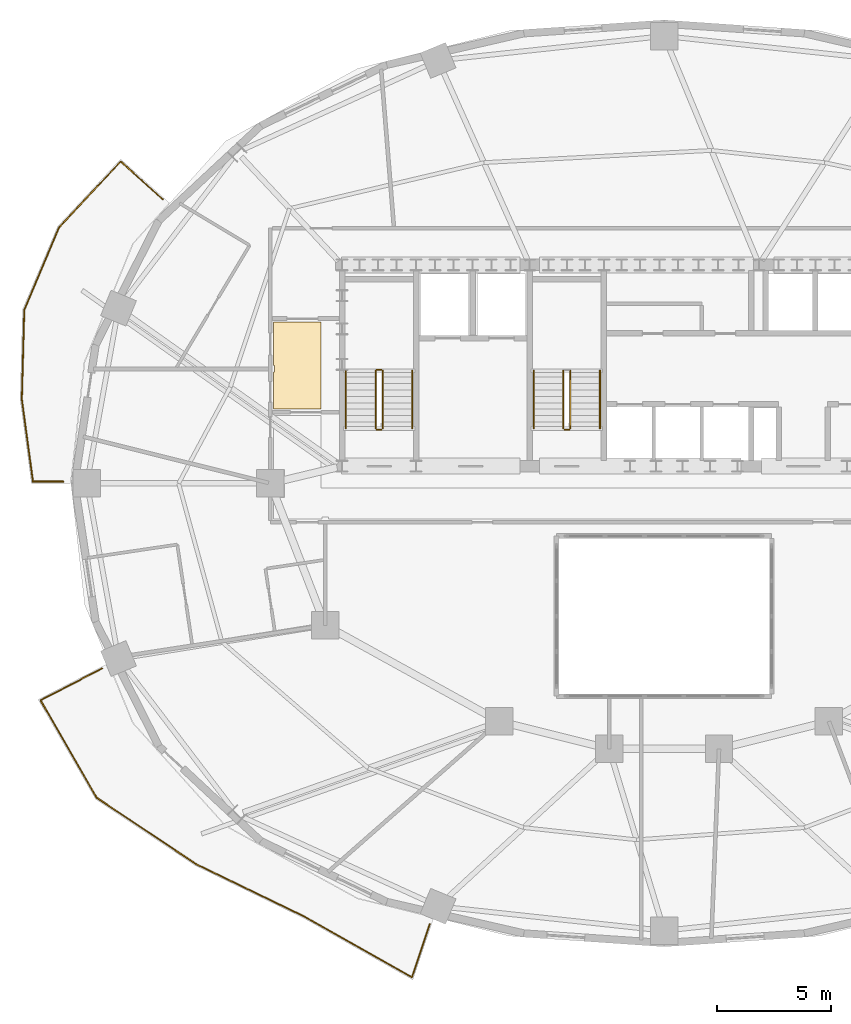
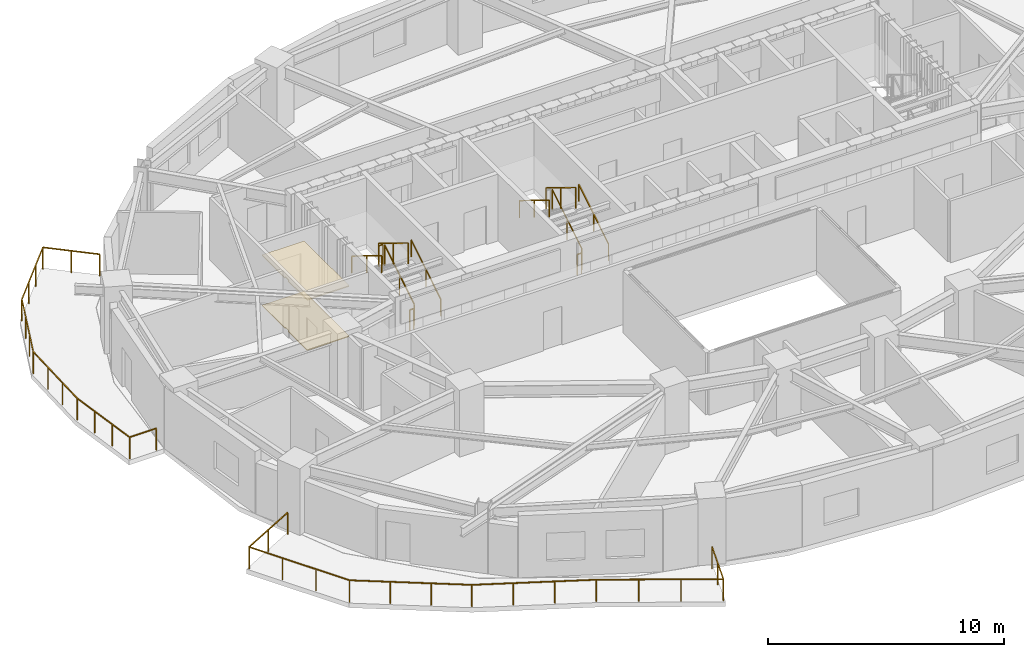
# One storey, part 10 of 12: 13 railings, 2 coverings.
"""IFC4 building model written with IfcOpenShell, lengths in metres."""

from ifc_helpers import new_model, si_unit, direction, frame, origin, origin_2d, place, context, subcontext, project, spatial, polyline, rectangle, outline, extrude, material, layer, layer_set, type_object, element, save


model = new_model("IFC4")

# Units and contexts
model_context = context("Model", 3, precision=1e-05, world=origin(), true_north=direction((0.0, 1.0)))
body_context = subcontext(model_context, "Body", "Model", "MODEL_VIEW")
ifc_project = project(units=[si_unit("LENGTHUNIT", "METRE"), si_unit("AREAUNIT", "SQUARE_METRE"), si_unit("VOLUMEUNIT", "CUBIC_METRE"), si_unit("PLANEANGLEUNIT", "RADIAN"), si_unit("MASSUNIT", "GRAM", prefix="KILO")], contexts=[model_context])

# Site, building, storey
site_placement = place(None, origin())
site = spatial("IfcSite", under=ifc_project, at=site_placement, CompositionType="ELEMENT")
building_placement = place(site_placement, origin())
building = spatial("IfcBuilding", under=site, at=building_placement, Name="Haldorwick Loom Tower", CompositionType="ELEMENT")
storey_placement = place(building_placement, frame((0.0, 0.0, 154.449951171875)))
storey = spatial("IfcBuildingStorey", under=building, at=storey_placement, Name="L41", CompositionType="ELEMENT", Elevation=154.449951171875)

# Coverings
ifc_material_1 = material(Name="Mineral Fibre Acoustic Ceiling Tile")
ifc_layer_1 = layer(ifc_material_1, 0.054931640625, Name="Mineral Fibre Acoustic Ceiling Tile")
ifc_layer_set_1 = layer_set([ifc_layer_1], Name="Mineral Fibre Acoustic Ceiling Tile")
covering_type_1 = type_object("IfcCoveringType", Name="ARC-COV-CEIL2", PredefinedType="CEILING", material=ifc_layer_set_1)
covering_1_placement = place(storey_placement, frame((0.0, 0.0, 2.594970703125)))
element("IfcCovering", 1, at=covering_1_placement, inside=storey, type_object=covering_type_1, Name="L41 Acoustic Suspended Ceiling 2", PredefinedType="CEILING", context=body_context, shape_type="SweptSolid", body=[
    extrude(outline(polyline([(18.969970703125, 31.139892578125), (18.971923828125, 31.139892578125), (18.973876953125, 31.1396484375), (18.975830078125, 31.13916015625), (18.977783203125, 31.138427734375), (18.9794921875, 31.1376953125), (18.981201171875, 31.13671875), (18.982666015625, 31.135498046875), (18.984130859375, 31.134033203125), (18.985595703125, 31.1328125), (18.986572265625, 31.131103515625), (18.987548828125, 31.12939453125), (18.988525390625, 31.127685546875), (18.989013671875, 31.125732421875), (18.989501953125, 31.123779296875), (18.989990234375, 31.1220703125), (18.989990234375, 31.1201171875), (18.989990234375, 30.8798828125), (18.989990234375, 30.8779296875), (18.989501953125, 30.876220703125), (18.989013671875, 30.874267578125), (18.988525390625, 30.872314453125), (18.987548828125, 30.87060546875), (18.986572265625, 30.868896484375), (18.985595703125, 30.8671875), (18.984130859375, 30.865966796875), (18.982666015625, 30.864501953125), (18.981201171875, 30.86328125), (18.9794921875, 30.8623046875), (18.977783203125, 30.861572265625), (18.975830078125, 30.86083984375), (18.973876953125, 30.8603515625), (18.971923828125, 30.860107421875), (18.969970703125, 30.860107421875), (18.93994140625, 30.860107421875), (18.93994140625, 29.239990234375), (21.0, 29.239990234375), (21.0, 33.06005859375), (18.93994140625, 33.06005859375), (18.93994140625, 31.139892578125), (18.969970703125, 31.139892578125)])), origin(), (0.0, 0.0, 1.0), 0.05517578125),
])
ifc_material_2 = material(Name="Polished Aggregate Terrazzo Finish")
ifc_layer_2 = layer(ifc_material_2, 0.044921875, Name="Polished Aggregate Terrazzo Finish")
ifc_layer_set_2 = layer_set([ifc_layer_2], Name="Polished Aggregate Terrazzo Finish")
covering_type_2 = type_object("IfcCoveringType", Name="ARC-COV-FLOOR2", PredefinedType="FLOORING", material=ifc_layer_set_2)
covering_2_placement = place(storey_placement, origin())
element("IfcCovering", 2, at=covering_2_placement, inside=storey, type_object=covering_type_2, Name="L41 Floor Finish 2", PredefinedType="FLOORING", context=body_context, shape_type="SweptSolid", body=[
    extrude(outline(polyline([(18.969970703125, 31.139892578125), (18.971923828125, 31.139892578125), (18.973876953125, 31.1396484375), (18.975830078125, 31.13916015625), (18.977783203125, 31.138427734375), (18.9794921875, 31.1376953125), (18.981201171875, 31.13671875), (18.982666015625, 31.135498046875), (18.984130859375, 31.134033203125), (18.985595703125, 31.1328125), (18.986572265625, 31.131103515625), (18.987548828125, 31.12939453125), (18.988525390625, 31.127685546875), (18.989013671875, 31.125732421875), (18.989501953125, 31.123779296875), (18.989990234375, 31.1220703125), (18.989990234375, 31.1201171875), (18.989990234375, 30.8798828125), (18.989990234375, 30.8779296875), (18.989501953125, 30.876220703125), (18.989013671875, 30.874267578125), (18.988525390625, 30.872314453125), (18.987548828125, 30.87060546875), (18.986572265625, 30.868896484375), (18.985595703125, 30.8671875), (18.984130859375, 30.865966796875), (18.982666015625, 30.864501953125), (18.981201171875, 30.86328125), (18.9794921875, 30.8623046875), (18.977783203125, 30.861572265625), (18.975830078125, 30.86083984375), (18.973876953125, 30.8603515625), (18.971923828125, 30.860107421875), (18.969970703125, 30.860107421875), (18.93994140625, 30.860107421875), (18.93994140625, 29.239990234375), (21.0, 29.239990234375), (21.0, 33.06005859375), (18.93994140625, 33.06005859375), (18.93994140625, 31.139892578125), (18.969970703125, 31.139892578125)])), origin(), (0.0, 0.0, 1.0), 0.045166015625),
])

# Railings
ifc_material_3 = material(Name="Galvanized Steel CSA G40.21 350W", Category="steel")
railing_type_1 = type_object("IfcRailingType", Name="ARC-RLG-BAL115", PredefinedType="BALUSTRADE", material=ifc_material_3)
railing_1_placement = place(storey_placement, frame((25.755859375, 6.728515625, 0.0)))
element("IfcRailing", 3, at=railing_1_placement, inside=storey, type_object=railing_type_1, Name="L41 Outdoor Terrace Guardrail SLB-L41-BAL_SW-1", PredefinedType="BALUSTRADE", context=body_context, shape_type="SweptSolid", body=[
    extrude(rectangle(XDim=0.048095703125, YDim=0.048095703125, at=origin_2d()), frame((0.0, 0.0, 1.1259765625), z_axis=(-0.318122031644, -0.948049773473, 0.0), x_axis=(0.948049773473, -0.318122031644, 0.0)), (0.0, 0.0, 1.0), 2.43505859375),
    extrude(rectangle(XDim=0.048095703125, YDim=0.048095703125, at=origin_2d()), frame((-0.774658203125, -2.30859375, 1.1259765625), z_axis=(-0.870535813637, 0.492105067212, 0.0), x_axis=(-0.492105067212, -0.870535813637, 0.0)), (0.0, 0.0, 1.0), 5.38427734375),
    extrude(rectangle(XDim=0.048095703125, YDim=0.048095703125, at=origin_2d()), frame((-5.4619140625, 0.341064453125, 1.1259765625), z_axis=(-0.884918222382, 0.465746432833, 0.0), x_axis=(-0.465746432833, -0.884918222382, 0.0)), (0.0, 0.0, 1.0), 0.005126953125),
    extrude(rectangle(XDim=0.048095703125, YDim=0.048095703125, at=origin_2d()), frame((-5.466552734375, 0.343505859375, 1.1259765625), z_axis=(-0.899741530377, 0.436423164503, 0.0), x_axis=(-0.436423164503, -0.899741530377, 0.0)), (0.0, 0.0, 1.0), 5.283203125),
    extrude(rectangle(XDim=0.048095703125, YDim=0.048095703125, at=origin_2d()), frame((-10.219970703125, 2.649169921875, 1.1259765625), z_axis=(-0.831587514247, 0.555393739746, 0.0), x_axis=(-0.555393739746, -0.831587514247, 0.0)), (0.0, 0.0, 1.0), 5.197509765625),
    extrude(rectangle(XDim=0.048095703125, YDim=0.048095703125, at=origin_2d()), frame((-14.542236328125, 5.535888671875, 1.1259765625), z_axis=(-0.499653669952, 0.866225265219, 0.0), x_axis=(-0.866225265219, -0.499653669952, 0.0)), (0.0, 0.0, 1.0), 4.91650390625),
    extrude(rectangle(XDim=0.048095703125, YDim=0.048095703125, at=origin_2d()), frame((-16.998779296875, 9.794677734375, 1.1259765625), z_axis=(0.88849659396, 0.45888321229, 0.0), x_axis=(-0.45888321229, 0.88849659396, 0.0)), (0.0, 0.0, 1.0), 3.02783203125),
    extrude(rectangle(XDim=0.0419921875, YDim=0.0419921875, at=origin_2d()), origin(), (0.0, 0.0, 1.0), 1.101806640625),
    extrude(rectangle(XDim=0.0419921875, YDim=0.0419921875, at=origin_2d()), frame((-0.38720703125, -1.154296875, 0.0)), (0.0, 0.0, 1.0), 1.101806640625),
    extrude(rectangle(XDim=0.0419921875, YDim=0.0419921875, at=origin_2d()), frame((-0.774658203125, -2.30859375, 0.0)), (0.0, 0.0, 1.0), 1.101806640625),
    extrude(rectangle(XDim=0.0419921875, YDim=0.0419921875, at=origin_2d()), frame((-2.337158203125, -1.42529296875, 0.0)), (0.0, 0.0, 1.0), 1.101806640625),
    extrude(rectangle(XDim=0.0419921875, YDim=0.0419921875, at=origin_2d()), frame((-3.8994140625, -0.542236328125, 0.0)), (0.0, 0.0, 1.0), 1.101806640625),
    extrude(rectangle(XDim=0.0419921875, YDim=0.0419921875, at=origin_2d()), frame((-5.4619140625, 0.341064453125, 0.0)), (0.0, 0.0, 1.0), 1.101806640625),
    extrude(rectangle(XDim=0.0419921875, YDim=0.0419921875, at=origin_2d()), frame((-7.051025390625, 1.112060546875, 0.0)), (0.0, 0.0, 1.0), 1.101806640625),
    extrude(rectangle(XDim=0.0419921875, YDim=0.0419921875, at=origin_2d()), frame((-8.635498046875, 1.880615234375, 0.0)), (0.0, 0.0, 1.0), 1.101806640625),
    extrude(rectangle(XDim=0.0419921875, YDim=0.0419921875, at=origin_2d()), frame((-10.219970703125, 2.649169921875, 0.0)), (0.0, 0.0, 1.0), 1.101806640625),
    extrude(rectangle(XDim=0.0419921875, YDim=0.0419921875, at=origin_2d()), frame((-11.66064453125, 3.611328125, 0.0)), (0.0, 0.0, 1.0), 1.101806640625),
    extrude(rectangle(XDim=0.0419921875, YDim=0.0419921875, at=origin_2d()), frame((-13.1015625, 4.57373046875, 0.0)), (0.0, 0.0, 1.0), 1.101806640625),
    extrude(rectangle(XDim=0.0419921875, YDim=0.0419921875, at=origin_2d()), frame((-14.542236328125, 5.535888671875, 0.0)), (0.0, 0.0, 1.0), 1.101806640625),
    extrude(rectangle(XDim=0.0419921875, YDim=0.0419921875, at=origin_2d()), frame((-15.361083984375, 6.95556640625, 0.0)), (0.0, 0.0, 1.0), 1.101806640625),
    extrude(rectangle(XDim=0.0419921875, YDim=0.0419921875, at=origin_2d()), frame((-16.179931640625, 8.375, 0.0)), (0.0, 0.0, 1.0), 1.101806640625),
    extrude(rectangle(XDim=0.0419921875, YDim=0.0419921875, at=origin_2d()), frame((-16.998779296875, 9.794677734375, 0.0)), (0.0, 0.0, 1.0), 1.101806640625),
    extrude(rectangle(XDim=0.0419921875, YDim=0.0419921875, at=origin_2d()), frame((-15.65380859375, 10.4892578125, 0.0)), (0.0, 0.0, 1.0), 1.101806640625),
    extrude(rectangle(XDim=0.0419921875, YDim=0.0419921875, at=origin_2d()), frame((-14.30859375, 11.18408203125, 0.0)), (0.0, 0.0, 1.0), 1.101806640625),
])
railing_2_placement = place(storey_placement, frame((9.73974609375, 26.080078125, 0.0)))
element("IfcRailing", 4, at=railing_2_placement, inside=storey, type_object=railing_type_1, Name="L41 Outdoor Terrace Guardrail SLB-L41-BAL_WNW-1", PredefinedType="BALUSTRADE", context=body_context, shape_type="SweptSolid", body=[
    extrude(rectangle(XDim=0.048095703125, YDim=0.048095703125, at=origin_2d()), frame((0.0, 0.0, 1.1259765625), z_axis=(-1.0, 0.0, 0.0), x_axis=(0.0, -1.0, 0.0)), (0.0, 0.0, 1.0), 1.313232421875),
    extrude(rectangle(XDim=0.048095703125, YDim=0.048095703125, at=origin_2d()), frame((-1.313232421875, 0.0, 1.1259765625), z_axis=(-0.133951807797, 0.990987847144, 0.0), x_axis=(-0.990987847144, -0.133951807797, 0.0)), (0.0, 0.0, 1.0), 3.630615234375),
    extrude(rectangle(XDim=0.048095703125, YDim=0.048095703125, at=origin_2d()), frame((-1.799560546875, 3.597900390625, 1.1259765625), z_axis=(0.0273664576, 0.999625468362, 0.0), x_axis=(-0.999625468362, 0.0273664576, 0.0)), (0.0, 0.0, 1.0), 3.907470703125),
    extrude(rectangle(XDim=0.048095703125, YDim=0.048095703125, at=origin_2d()), frame((-1.692626953125, 7.50390625, 1.1259765625), z_axis=(0.389591209707, 0.920987887716, 0.0), x_axis=(-0.920987887716, 0.389591209707, 0.0)), (0.0, 0.0, 1.0), 3.91845703125),
    extrude(rectangle(XDim=0.048095703125, YDim=0.048095703125, at=origin_2d()), frame((-0.166015625, 11.11279296875, 1.1259765625), z_axis=(0.683138961253, 0.73028840852, 0.0), x_axis=(-0.73028840852, 0.683138961253, 0.0)), (0.0, 0.0, 1.0), 3.93017578125),
    extrude(rectangle(XDim=0.048095703125, YDim=0.048095703125, at=origin_2d()), frame((2.518798828125, 13.98291015625, 1.1259765625), z_axis=(0.74343228508, -0.668811212152, 0.0), x_axis=(0.668811212152, 0.74343228508, 0.0)), (0.0, 0.0, 1.0), 2.46044921875),
    extrude(rectangle(XDim=0.0419921875, YDim=0.0419921875, at=origin_2d()), origin(), (0.0, 0.0, 1.0), 1.101806640625),
    extrude(rectangle(XDim=0.0419921875, YDim=0.0419921875, at=origin_2d()), frame((-1.313232421875, 0.0, 0.0)), (0.0, 0.0, 1.0), 1.101806640625),
    extrude(rectangle(XDim=0.0419921875, YDim=0.0419921875, at=origin_2d()), frame((-1.475341796875, 1.19921875, 0.0)), (0.0, 0.0, 1.0), 1.101806640625),
    extrude(rectangle(XDim=0.0419921875, YDim=0.0419921875, at=origin_2d()), frame((-1.637451171875, 2.398681640625, 0.0)), (0.0, 0.0, 1.0), 1.101806640625),
    extrude(rectangle(XDim=0.0419921875, YDim=0.0419921875, at=origin_2d()), frame((-1.799560546875, 3.597900390625, 0.0)), (0.0, 0.0, 1.0), 1.101806640625),
    extrude(rectangle(XDim=0.0419921875, YDim=0.0419921875, at=origin_2d()), frame((-1.763916015625, 4.89990234375, 0.0)), (0.0, 0.0, 1.0), 1.101806640625),
    extrude(rectangle(XDim=0.0419921875, YDim=0.0419921875, at=origin_2d()), frame((-1.728271484375, 6.201904296875, 0.0)), (0.0, 0.0, 1.0), 1.101806640625),
    extrude(rectangle(XDim=0.0419921875, YDim=0.0419921875, at=origin_2d()), frame((-1.692626953125, 7.50390625, 0.0)), (0.0, 0.0, 1.0), 1.101806640625),
    extrude(rectangle(XDim=0.0419921875, YDim=0.0419921875, at=origin_2d()), frame((-1.183837890625, 8.706787109375, 0.0)), (0.0, 0.0, 1.0), 1.101806640625),
    extrude(rectangle(XDim=0.0419921875, YDim=0.0419921875, at=origin_2d()), frame((-0.6748046875, 9.909912109375, 0.0)), (0.0, 0.0, 1.0), 1.101806640625),
    extrude(rectangle(XDim=0.0419921875, YDim=0.0419921875, at=origin_2d()), frame((-0.166015625, 11.11279296875, 0.0)), (0.0, 0.0, 1.0), 1.101806640625),
    extrude(rectangle(XDim=0.0419921875, YDim=0.0419921875, at=origin_2d()), frame((0.72900390625, 12.069580078125, 0.0)), (0.0, 0.0, 1.0), 1.101806640625),
    extrude(rectangle(XDim=0.0419921875, YDim=0.0419921875, at=origin_2d()), frame((1.623779296875, 13.026123046875, 0.0)), (0.0, 0.0, 1.0), 1.101806640625),
    extrude(rectangle(XDim=0.0419921875, YDim=0.0419921875, at=origin_2d()), frame((2.518798828125, 13.98291015625, 0.0)), (0.0, 0.0, 1.0), 1.101806640625),
    extrude(rectangle(XDim=0.0419921875, YDim=0.0419921875, at=origin_2d()), frame((3.433349609375, 13.16015625, 0.0)), (0.0, 0.0, 1.0), 1.101806640625),
    extrude(rectangle(XDim=0.0419921875, YDim=0.0419921875, at=origin_2d()), frame((4.347900390625, 12.33740234375, 0.0)), (0.0, 0.0, 1.0), 1.101806640625),
])
ifc_material_4 = material(Name="Steel CSA G40.21 350W", Category="steel")
railing_type_2 = type_object("IfcRailingType", Name="ARC-RLG-GUARD112", PredefinedType="GUARDRAIL", material=ifc_material_4)
railing_3_placement = place(storey_placement, frame((23.699951171875, 28.39990234375, 0.172607421875)))
element("IfcRailing", 5, at=railing_3_placement, inside=storey, type_object=railing_type_2, Name="L41 ST-01 stair guard 1", PredefinedType="GUARDRAIL", context=body_context, shape_type="SweptSolid", body=[
    extrude(rectangle(XDim=0.048095703125, YDim=0.048095703125, at=origin_2d()), frame((0.0, 0.0, 1.076171875), z_axis=(0.0, 0.851400495292, 0.524516154772), x_axis=(-1.0, 0.0, 0.0)), (0.0, 0.0, 1.0), 2.9599609375),
    extrude(rectangle(XDim=0.0419921875, YDim=0.0419921875, at=origin_2d()), origin(), (0.0, 0.0, 1.0), 1.052001953125),
    extrude(rectangle(XDim=0.0419921875, YDim=0.0419921875, at=origin_2d()), frame((0.0, 1.260009765625, 0.7763671875)), (0.0, 0.0, 1.0), 1.052001953125),
    extrude(rectangle(XDim=0.0419921875, YDim=0.0419921875, at=origin_2d()), frame((0.0, 2.52001953125, 1.552490234375)), (0.0, 0.0, 1.0), 1.052001953125),
])
railing_4_placement = place(storey_placement, frame((23.64990234375, 30.969970703125, 1.72509765625)))
element("IfcRailing", 6, at=railing_4_placement, inside=storey, type_object=railing_type_2, Name="L41 ST-01 stair guard 2", PredefinedType="GUARDRAIL", context=body_context, shape_type="SweptSolid", body=[
    extrude(rectangle(XDim=0.048095703125, YDim=0.048095703125, at=origin_2d()), frame((0.0, 0.0, 1.076171875), z_axis=(-1.0, 0.0, 0.0), x_axis=(0.0, -1.0, 0.0)), (0.0, 0.0, 1.0), 0.199951171875),
    extrude(rectangle(XDim=0.0419921875, YDim=0.0419921875, at=origin_2d()), origin(), (0.0, 0.0, 1.0), 1.052001953125),
    extrude(rectangle(XDim=0.0419921875, YDim=0.0419921875, at=origin_2d()), frame((-0.199951171875, 0.0, 0.0)), (0.0, 0.0, 1.0), 1.052001953125),
])
railing_5_placement = place(storey_placement, frame((23.39990234375, 30.919921875, 1.8974609375)))
element("IfcRailing", 7, at=railing_5_placement, inside=storey, type_object=railing_type_2, Name="L41 ST-01 stair guard 3", PredefinedType="GUARDRAIL", context=body_context, shape_type="SweptSolid", body=[
    extrude(rectangle(XDim=0.048095703125, YDim=0.048095703125, at=origin_2d()), frame((0.0, 0.0, 1.076171875), z_axis=(0.0, -0.851400495292, 0.524516154772), x_axis=(1.0, 0.0, 0.0)), (0.0, 0.0, 1.0), 2.9599609375),
    extrude(rectangle(XDim=0.0419921875, YDim=0.0419921875, at=origin_2d()), origin(), (0.0, 0.0, 1.0), 1.052001953125),
    extrude(rectangle(XDim=0.0419921875, YDim=0.0419921875, at=origin_2d()), frame((0.0, -1.260009765625, 0.7763671875)), (0.0, 0.0, 1.0), 1.052001953125),
    extrude(rectangle(XDim=0.0419921875, YDim=0.0419921875, at=origin_2d()), frame((0.0, -2.52001953125, 1.552490234375)), (0.0, 0.0, 1.0), 1.052001953125),
])
railing_6_placement = place(storey_placement, frame((23.64990234375, 28.35009765625, 0.0)))
element("IfcRailing", 8, at=railing_6_placement, inside=storey, type_object=railing_type_2, Name="L41 ST-01 stair guard 4", PredefinedType="GUARDRAIL", context=body_context, shape_type="SweptSolid", body=[
    extrude(rectangle(XDim=0.048095703125, YDim=0.048095703125, at=origin_2d()), frame((0.0, 0.0, 1.076171875), z_axis=(-1.0, 0.0, 0.0), x_axis=(0.0, -1.0, 0.0)), (0.0, 0.0, 1.0), 0.199951171875),
    extrude(rectangle(XDim=0.0419921875, YDim=0.0419921875, at=origin_2d()), origin(), (0.0, 0.0, 1.0), 1.052001953125),
    extrude(rectangle(XDim=0.0419921875, YDim=0.0419921875, at=origin_2d()), frame((-0.199951171875, 0.0, 0.0)), (0.0, 0.0, 1.0), 1.052001953125),
])
railing_7_placement = place(storey_placement, frame((31.89990234375, 28.39990234375, 0.172607421875)))
element("IfcRailing", 9, at=railing_7_placement, inside=storey, type_object=railing_type_2, Name="L41 ST-03 stair guard 1", PredefinedType="GUARDRAIL", context=body_context, shape_type="SweptSolid", body=[
    extrude(rectangle(XDim=0.048095703125, YDim=0.048095703125, at=origin_2d()), frame((0.0, 0.0, 1.076171875), z_axis=(0.0, 0.851400495292, 0.524516154772), x_axis=(-1.0, 0.0, 0.0)), (0.0, 0.0, 1.0), 2.9599609375),
    extrude(rectangle(XDim=0.0419921875, YDim=0.0419921875, at=origin_2d()), origin(), (0.0, 0.0, 1.0), 1.052001953125),
    extrude(rectangle(XDim=0.0419921875, YDim=0.0419921875, at=origin_2d()), frame((0.0, 1.260009765625, 0.7763671875)), (0.0, 0.0, 1.0), 1.052001953125),
    extrude(rectangle(XDim=0.0419921875, YDim=0.0419921875, at=origin_2d()), frame((0.0, 2.52001953125, 1.552490234375)), (0.0, 0.0, 1.0), 1.052001953125),
])
railing_8_placement = place(storey_placement, frame((31.60009765625, 30.919921875, 1.8974609375)))
element("IfcRailing", 10, at=railing_8_placement, inside=storey, type_object=railing_type_2, Name="L41 ST-03 stair guard 3", PredefinedType="GUARDRAIL", context=body_context, shape_type="SweptSolid", body=[
    extrude(rectangle(XDim=0.048095703125, YDim=0.048095703125, at=origin_2d()), frame((0.0, 0.0, 1.076171875), z_axis=(0.0, -0.851400495292, 0.524516154772), x_axis=(1.0, 0.0, 0.0)), (0.0, 0.0, 1.0), 2.9599609375),
    extrude(rectangle(XDim=0.0419921875, YDim=0.0419921875, at=origin_2d()), origin(), (0.0, 0.0, 1.0), 1.052001953125),
    extrude(rectangle(XDim=0.0419921875, YDim=0.0419921875, at=origin_2d()), frame((0.0, -1.260009765625, 0.7763671875)), (0.0, 0.0, 1.0), 1.052001953125),
    extrude(rectangle(XDim=0.0419921875, YDim=0.0419921875, at=origin_2d()), frame((0.0, -2.52001953125, 1.552490234375)), (0.0, 0.0, 1.0), 1.052001953125),
])
railing_9_placement = place(storey_placement, frame((31.85009765625, 28.35009765625, 0.0)))
element("IfcRailing", 11, at=railing_9_placement, inside=storey, type_object=railing_type_2, Name="L41 ST-03 stair guard 4", PredefinedType="GUARDRAIL", context=body_context, shape_type="SweptSolid", body=[
    extrude(rectangle(XDim=0.048095703125, YDim=0.048095703125, at=origin_2d()), frame((0.0, 0.0, 1.076171875), z_axis=(-1.0, 0.0, 0.0), x_axis=(0.0, -1.0, 0.0)), (0.0, 0.0, 1.0), 0.2001953125),
    extrude(rectangle(XDim=0.0419921875, YDim=0.0419921875, at=origin_2d()), origin(), (0.0, 0.0, 1.0), 1.052001953125),
    extrude(rectangle(XDim=0.0419921875, YDim=0.0419921875, at=origin_2d()), frame((-0.2001953125, 0.0, 0.0)), (0.0, 0.0, 1.0), 1.052001953125),
])
railing_type_3 = type_object("IfcRailingType", Name="ARC-RLG-HAND092", PredefinedType="HANDRAIL", material=ifc_material_4)
railing_10_placement = place(storey_placement, frame((25.0, 28.39990234375, 0.172607421875)))
element("IfcRailing", 12, at=railing_10_placement, inside=storey, type_object=railing_type_3, Name="L41 ST-01 stair handrail 1", PredefinedType="HANDRAIL", context=body_context, shape_type="SweptSolid", body=[
    extrude(rectangle(XDim=0.048095703125, YDim=0.048095703125, at=origin_2d()), frame((0.0, 0.0, 0.8759765625), z_axis=(0.0, 0.851400495292, 0.524516154772), x_axis=(-1.0, 0.0, 0.0)), (0.0, 0.0, 1.0), 2.9599609375),
    extrude(rectangle(XDim=0.0419921875, YDim=0.0419921875, at=origin_2d()), origin(), (0.0, 0.0, 1.0), 0.851806640625),
    extrude(rectangle(XDim=0.0419921875, YDim=0.0419921875, at=origin_2d()), frame((0.0, 1.260009765625, 0.7763671875)), (0.0, 0.0, 1.0), 0.851806640625),
    extrude(rectangle(XDim=0.0419921875, YDim=0.0419921875, at=origin_2d()), frame((0.0, 2.52001953125, 1.552490234375)), (0.0, 0.0, 1.0), 0.851806640625),
])
railing_11_placement = place(storey_placement, frame((22.10009765625, 30.919921875, 1.8974609375)))
element("IfcRailing", 13, at=railing_11_placement, inside=storey, type_object=railing_type_3, Name="L41 ST-01 stair handrail 2", PredefinedType="HANDRAIL", context=body_context, shape_type="SweptSolid", body=[
    extrude(rectangle(XDim=0.048095703125, YDim=0.048095703125, at=origin_2d()), frame((0.0, 0.0, 0.8759765625), z_axis=(0.0, -0.851400495292, 0.524516154772), x_axis=(1.0, 0.0, 0.0)), (0.0, 0.0, 1.0), 2.9599609375),
    extrude(rectangle(XDim=0.0419921875, YDim=0.0419921875, at=origin_2d()), origin(), (0.0, 0.0, 1.0), 0.851806640625),
    extrude(rectangle(XDim=0.0419921875, YDim=0.0419921875, at=origin_2d()), frame((0.0, -1.260009765625, 0.7763671875)), (0.0, 0.0, 1.0), 0.851806640625),
    extrude(rectangle(XDim=0.0419921875, YDim=0.0419921875, at=origin_2d()), frame((0.0, -2.52001953125, 1.552490234375)), (0.0, 0.0, 1.0), 0.851806640625),
])
railing_12_placement = place(storey_placement, frame((33.199951171875, 28.39990234375, 0.172607421875)))
element("IfcRailing", 14, at=railing_12_placement, inside=storey, type_object=railing_type_3, Name="L41 ST-03 stair handrail 1", PredefinedType="HANDRAIL", context=body_context, shape_type="SweptSolid", body=[
    extrude(rectangle(XDim=0.048095703125, YDim=0.048095703125, at=origin_2d()), frame((0.0, 0.0, 0.8759765625), z_axis=(0.0, 0.851400495292, 0.524516154772), x_axis=(-1.0, 0.0, 0.0)), (0.0, 0.0, 1.0), 2.9599609375),
    extrude(rectangle(XDim=0.0419921875, YDim=0.0419921875, at=origin_2d()), origin(), (0.0, 0.0, 1.0), 0.851806640625),
    extrude(rectangle(XDim=0.0419921875, YDim=0.0419921875, at=origin_2d()), frame((0.0, 1.260009765625, 0.7763671875)), (0.0, 0.0, 1.0), 0.851806640625),
    extrude(rectangle(XDim=0.0419921875, YDim=0.0419921875, at=origin_2d()), frame((0.0, 2.52001953125, 1.552490234375)), (0.0, 0.0, 1.0), 0.851806640625),
])
railing_13_placement = place(storey_placement, frame((30.300048828125, 30.919921875, 1.8974609375)))
element("IfcRailing", 15, at=railing_13_placement, inside=storey, type_object=railing_type_3, Name="L41 ST-03 stair handrail 2", PredefinedType="HANDRAIL", context=body_context, shape_type="SweptSolid", body=[
    extrude(rectangle(XDim=0.048095703125, YDim=0.048095703125, at=origin_2d()), frame((0.0, 0.0, 0.8759765625), z_axis=(0.0, -0.851400495292, 0.524516154772), x_axis=(1.0, 0.0, 0.0)), (0.0, 0.0, 1.0), 2.9599609375),
    extrude(rectangle(XDim=0.0419921875, YDim=0.0419921875, at=origin_2d()), origin(), (0.0, 0.0, 1.0), 0.851806640625),
    extrude(rectangle(XDim=0.0419921875, YDim=0.0419921875, at=origin_2d()), frame((0.0, -1.260009765625, 0.7763671875)), (0.0, 0.0, 1.0), 0.851806640625),
    extrude(rectangle(XDim=0.0419921875, YDim=0.0419921875, at=origin_2d()), frame((0.0, -2.52001953125, 1.552490234375)), (0.0, 0.0, 1.0), 0.851806640625),
])

save(model, "model.ifc")
